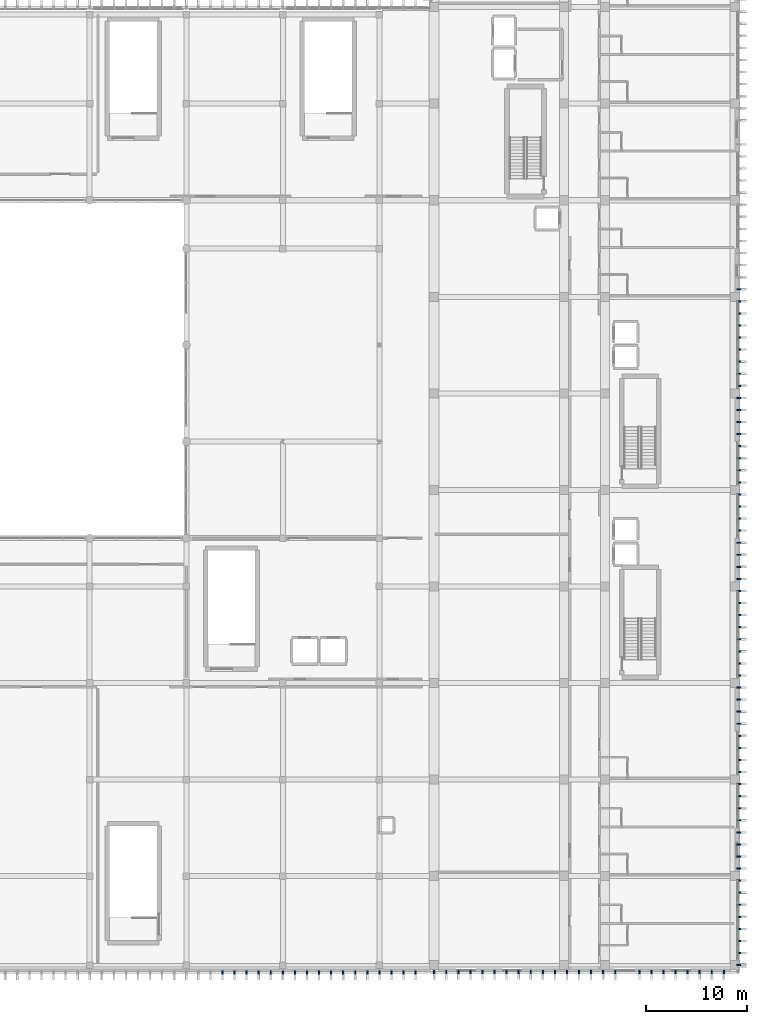
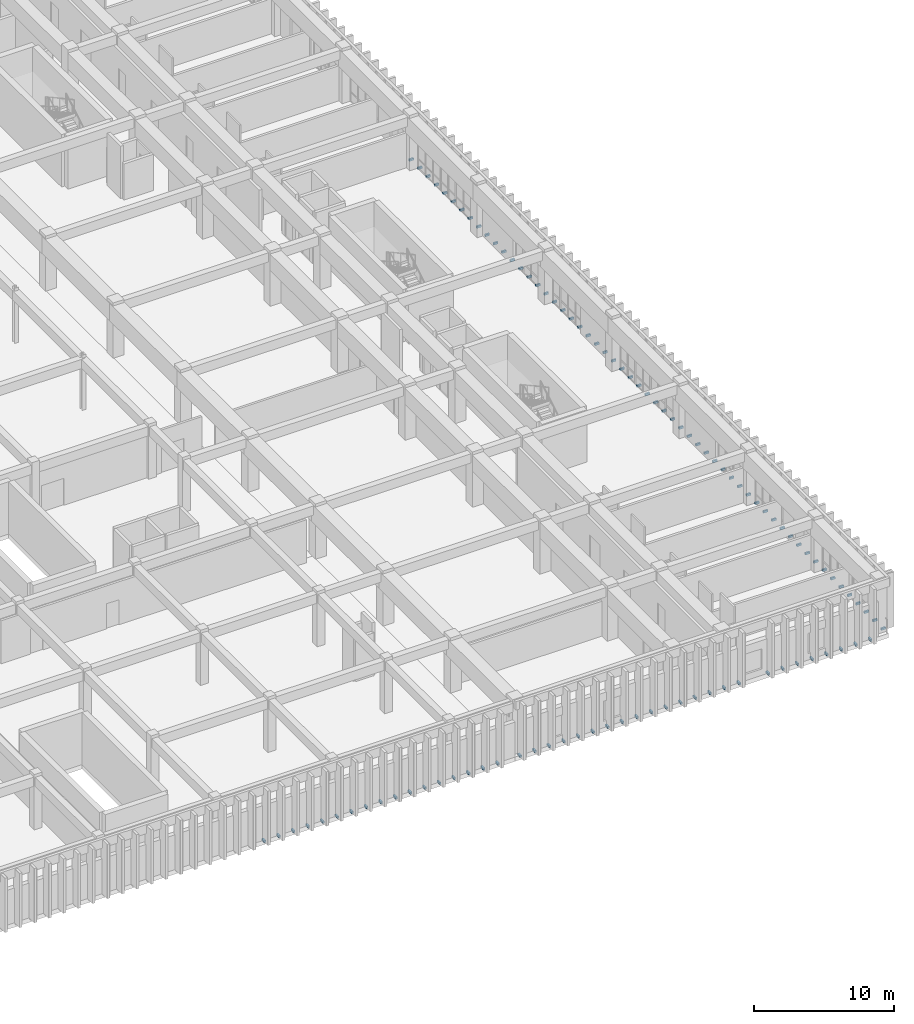
# One storey, part 87 of 101: 98 discrete accessories.
"""IFC4 building model written with IfcOpenShell, lengths in metres."""

from ifc_helpers import new_model, si_unit, direction, frame, origin, origin_2d, place, context, subcontext, project, spatial, rectangle, extrude, material, type_object, element, save


model = new_model("IFC4")

# Units and contexts
model_context = context("Model", 3, precision=1e-05, world=origin(), true_north=direction((0.0, 1.0)))
body_context = subcontext(model_context, "Body", "Model", "MODEL_VIEW")
ifc_project = project(units=[si_unit("LENGTHUNIT", "METRE"), si_unit("AREAUNIT", "SQUARE_METRE"), si_unit("VOLUMEUNIT", "CUBIC_METRE"), si_unit("PLANEANGLEUNIT", "RADIAN"), si_unit("MASSUNIT", "GRAM", prefix="KILO")], contexts=[model_context])

# Site, building, storey
site_placement = place(None, origin())
site = spatial("IfcSite", under=ifc_project, at=site_placement, CompositionType="ELEMENT")
building_placement = place(site_placement, origin())
building = spatial("IfcBuilding", under=site, at=building_placement, Name="Nakhvara Creek Congress Hotel", CompositionType="ELEMENT")
storey_placement = place(building_placement, frame((0.0, 0.0, 16.199951171875)))
storey = spatial("IfcBuildingStorey", under=building, at=storey_placement, Name="L03", CompositionType="ELEMENT", Elevation=16.199951171875)

# Discrete accessories
ifc_material = material(Name="Brushed stainless steel 316L", Category="steel")
discrete_accessory_type = type_object("IfcDiscreteAccessoryType", Name="ACC-BRK-SS316", PredefinedType="BRACKET", material=ifc_material)
for number, where, z_axis, x_axis, name in (
    (1, (128.39990234375, 0.02001953125, -0.10986328125), (0.0, 0.0, 1.0), (1.0, 0.0, 0.0), "Stainless Fin Bracket BK01-0314"),
    (2, (129.60009765625, 0.02001953125, -0.10986328125), (0.0, 0.0, 1.0), (1.0, 0.0, 0.0), "Stainless Fin Bracket BK01-0315"),
    (3, (130.800048828125, 0.02001953125, -0.10986328125), (0.0, 0.0, 1.0), (1.0, 0.0, 0.0), "Stainless Fin Bracket BK01-0316"),
    (4, (132.0, 0.02001953125, -0.10986328125), (0.0, 0.0, 1.0), (1.0, 0.0, 0.0), "Stainless Fin Bracket BK01-0317"),
    (5, (133.199951171875, 0.02001953125, -0.10986328125), (0.0, 0.0, 1.0), (1.0, 0.0, 0.0), "Stainless Fin Bracket BK01-0318"),
    (6, (134.39990234375, 0.02001953125, -0.10986328125), (0.0, 0.0, 1.0), (1.0, 0.0, 0.0), "Stainless Fin Bracket BK01-0319"),
    (7, (135.60009765625, 0.02001953125, -0.10986328125), (0.0, 0.0, 1.0), (1.0, 0.0, 0.0), "Stainless Fin Bracket BK01-0320"),
    (8, (136.800048828125, 0.02001953125, -0.10986328125), (0.0, 0.0, 1.0), (1.0, 0.0, 0.0), "Stainless Fin Bracket BK01-0321"),
    (9, (138.0, 0.02001953125, -0.10986328125), (0.0, 0.0, 1.0), (1.0, 0.0, 0.0), "Stainless Fin Bracket BK01-0322"),
    (10, (139.199951171875, 0.02001953125, -0.10986328125), (0.0, 0.0, 1.0), (1.0, 0.0, 0.0), "Stainless Fin Bracket BK01-0323"),
    (11, (140.39990234375, 0.02001953125, -0.10986328125), (0.0, 0.0, 1.0), (1.0, 0.0, 0.0), "Stainless Fin Bracket BK01-0324"),
    (12, (141.60009765625, 0.02001953125, -0.10986328125), (0.0, 0.0, 1.0), (1.0, 0.0, 0.0), "Stainless Fin Bracket BK01-0325"),
    (13, (142.800048828125, 0.02001953125, -0.10986328125), (0.0, 0.0, 1.0), (1.0, 0.0, 0.0), "Stainless Fin Bracket BK01-0326"),
    (14, (144.0, 0.02001953125, -0.10986328125), (0.0, 0.0, 1.0), (1.0, 0.0, 0.0), "Stainless Fin Bracket BK01-0327"),
    (15, (145.199951171875, 0.02001953125, -0.10986328125), (0.0, 0.0, 1.0), (1.0, 0.0, 0.0), "Stainless Fin Bracket BK01-0328"),
    (16, (146.39990234375, 0.02001953125, -0.10986328125), (0.0, 0.0, 1.0), (1.0, 0.0, 0.0), "Stainless Fin Bracket BK01-0329"),
    (17, (147.60009765625, 0.02001953125, -0.10986328125), (0.0, 0.0, 1.0), (1.0, 0.0, 0.0), "Stainless Fin Bracket BK01-0330"),
    (18, (179.72998046875, 0.75, -0.10986328125), (0.0, 0.0, 1.0), (0.0, 1.0, 0.0), "Stainless Fin Bracket BK01-0892"),
    (19, (179.72998046875, 1.949951171875, -0.10986328125), (0.0, 0.0, 1.0), (0.0, 1.0, 0.0), "Stainless Fin Bracket BK01-0893"),
    (20, (179.72998046875, 3.14990234375, -0.10986328125), (0.0, 0.0, 1.0), (0.0, 1.0, 0.0), "Stainless Fin Bracket BK01-0894"),
    (21, (179.72998046875, 4.35009765625, -0.10986328125), (0.0, 0.0, 1.0), (0.0, 1.0, 0.0), "Stainless Fin Bracket BK01-0895"),
    (22, (179.72998046875, 5.550048828125, -0.10986328125), (0.0, 0.0, 1.0), (0.0, 1.0, 0.0), "Stainless Fin Bracket BK01-0896"),
    (23, (179.72998046875, 6.75, -0.10986328125), (0.0, 0.0, 1.0), (0.0, 1.0, 0.0), "Stainless Fin Bracket BK01-0897"),
    (24, (179.72998046875, 7.949951171875, -0.10986328125), (0.0, 0.0, 1.0), (0.0, 1.0, 0.0), "Stainless Fin Bracket BK01-0898"),
    (25, (179.72998046875, 9.14990234375, -0.10986328125), (0.0, 0.0, 1.0), (0.0, 1.0, 0.0), "Stainless Fin Bracket BK01-0899"),
    (26, (179.72998046875, 10.35009765625, -0.10986328125), (0.0, 0.0, 1.0), (0.0, 1.0, 0.0), "Stainless Fin Bracket BK01-0900"),
    (27, (179.72998046875, 11.550048828125, -0.10986328125), (0.0, 0.0, 1.0), (0.0, 1.0, 0.0), "Stainless Fin Bracket BK01-0901"),
    (28, (179.72998046875, 12.75, -0.10986328125), (0.0, 0.0, 1.0), (0.0, 1.0, 0.0), "Stainless Fin Bracket BK01-0902"),
    (29, (179.72998046875, 13.949951171875, -0.10986328125), (0.0, 0.0, 1.0), (0.0, 1.0, 0.0), "Stainless Fin Bracket BK01-0903"),
    (30, (179.72998046875, 15.14990234375, -0.10986328125), (0.0, 0.0, 1.0), (0.0, 1.0, 0.0), "Stainless Fin Bracket BK01-0904"),
    (31, (179.72998046875, 16.35009765625, -0.10986328125), (0.0, 0.0, 1.0), (0.0, 1.0, 0.0), "Stainless Fin Bracket BK01-0905"),
    (32, (179.72998046875, 17.550048828125, -0.10986328125), (0.0, 0.0, 1.0), (0.0, 1.0, 0.0), "Stainless Fin Bracket BK01-0906"),
    (33, (179.72998046875, 18.75, -0.10986328125), (0.0, 0.0, 1.0), (0.0, 1.0, 0.0), "Stainless Fin Bracket BK01-0907"),
    (34, (179.72998046875, 19.949951171875, -0.10986328125), (0.0, 0.0, 1.0), (0.0, 1.0, 0.0), "Stainless Fin Bracket BK01-0908"),
    (35, (179.72998046875, 21.14990234375, -0.10986328125), (0.0, 0.0, 1.0), (0.0, 1.0, 0.0), "Stainless Fin Bracket BK01-0909"),
    (36, (179.72998046875, 22.35009765625, -0.10986328125), (0.0, 0.0, 1.0), (0.0, 1.0, 0.0), "Stainless Fin Bracket BK01-0910"),
    (37, (179.72998046875, 23.550048828125, -0.10986328125), (0.0, 0.0, 1.0), (0.0, 1.0, 0.0), "Stainless Fin Bracket BK01-0911"),
    (38, (179.72998046875, 24.75, -0.10986328125), (0.0, 0.0, 1.0), (0.0, 1.0, 0.0), "Stainless Fin Bracket BK01-0912"),
    (39, (179.72998046875, 25.949951171875, -0.10986328125), (0.0, 0.0, 1.0), (0.0, 1.0, 0.0), "Stainless Fin Bracket BK01-0913"),
    (40, (179.72998046875, 27.14990234375, -0.10986328125), (0.0, 0.0, 1.0), (0.0, 1.0, 0.0), "Stainless Fin Bracket BK01-0914"),
    (41, (179.72998046875, 28.35009765625, -0.10986328125), (0.0, 0.0, 1.0), (0.0, 1.0, 0.0), "Stainless Fin Bracket BK01-0915"),
    (42, (179.72998046875, 29.550048828125, -0.10986328125), (0.0, 0.0, 1.0), (0.0, 1.0, 0.0), "Stainless Fin Bracket BK01-0916"),
    (43, (179.72998046875, 30.75, -0.10986328125), (0.0, 0.0, 1.0), (0.0, 1.0, 0.0), "Stainless Fin Bracket BK01-0917"),
    (44, (179.72998046875, 31.949951171875, -0.10986328125), (0.0, 0.0, 1.0), (0.0, 1.0, 0.0), "Stainless Fin Bracket BK01-0918"),
    (45, (179.72998046875, 33.14990234375, -0.10986328125), (0.0, 0.0, 1.0), (0.0, 1.0, 0.0), "Stainless Fin Bracket BK01-0919"),
    (46, (179.72998046875, 34.35009765625, -0.10986328125), (0.0, 0.0, 1.0), (0.0, 1.0, 0.0), "Stainless Fin Bracket BK01-0920"),
    (47, (179.72998046875, 35.550048828125, -0.10986328125), (0.0, 0.0, 1.0), (0.0, 1.0, 0.0), "Stainless Fin Bracket BK01-0921"),
    (48, (179.72998046875, 36.75, -0.10986328125), (0.0, 0.0, 1.0), (0.0, 1.0, 0.0), "Stainless Fin Bracket BK01-0922"),
    (49, (179.72998046875, 37.949951171875, -0.10986328125), (0.0, 0.0, 1.0), (0.0, 1.0, 0.0), "Stainless Fin Bracket BK01-0923"),
    (50, (179.72998046875, 39.14990234375, -0.10986328125), (0.0, 0.0, 1.0), (0.0, 1.0, 0.0), "Stainless Fin Bracket BK01-0924"),
    (51, (179.72998046875, 40.35009765625, -0.10986328125), (0.0, 0.0, 1.0), (0.0, 1.0, 0.0), "Stainless Fin Bracket BK01-0925"),
    (52, (179.72998046875, 41.550048828125, -0.10986328125), (0.0, 0.0, 1.0), (0.0, 1.0, 0.0), "Stainless Fin Bracket BK01-0926"),
    (53, (179.72998046875, 42.75, -0.10986328125), (0.0, 0.0, 1.0), (0.0, 1.0, 0.0), "Stainless Fin Bracket BK01-0927"),
    (54, (179.72998046875, 43.949951171875, -0.10986328125), (0.0, 0.0, 1.0), (0.0, 1.0, 0.0), "Stainless Fin Bracket BK01-0928"),
    (55, (179.72998046875, 45.14990234375, -0.10986328125), (0.0, 0.0, 1.0), (0.0, 1.0, 0.0), "Stainless Fin Bracket BK01-0929"),
    (56, (179.72998046875, 46.35009765625, -0.10986328125), (0.0, 0.0, 1.0), (0.0, 1.0, 0.0), "Stainless Fin Bracket BK01-0930"),
    (57, (179.72998046875, 47.550048828125, -0.10986328125), (0.0, 0.0, 1.0), (0.0, 1.0, 0.0), "Stainless Fin Bracket BK01-0931"),
    (58, (179.72998046875, 48.75, -0.10986328125), (0.0, 0.0, 1.0), (0.0, 1.0, 0.0), "Stainless Fin Bracket BK01-0932"),
    (59, (179.72998046875, 49.949951171875, -0.10986328125), (0.0, 0.0, 1.0), (0.0, 1.0, 0.0), "Stainless Fin Bracket BK01-0933"),
    (60, (179.72998046875, 51.14990234375, -0.10986328125), (0.0, 0.0, 1.0), (0.0, 1.0, 0.0), "Stainless Fin Bracket BK01-0934"),
    (61, (179.72998046875, 52.35009765625, -0.10986328125), (0.0, 0.0, 1.0), (0.0, 1.0, 0.0), "Stainless Fin Bracket BK01-0935"),
    (62, (179.72998046875, 53.550048828125, -0.10986328125), (0.0, 0.0, 1.0), (0.0, 1.0, 0.0), "Stainless Fin Bracket BK01-0936"),
    (63, (179.72998046875, 54.75, -0.10986328125), (0.0, 0.0, 1.0), (0.0, 1.0, 0.0), "Stainless Fin Bracket BK01-0937"),
    (64, (179.72998046875, 55.949951171875, -0.10986328125), (0.0, 0.0, 1.0), (0.0, 1.0, 0.0), "Stainless Fin Bracket BK01-0938"),
    (65, (179.72998046875, 57.14990234375, -0.10986328125), (0.0, 0.0, 1.0), (0.0, 1.0, 0.0), "Stainless Fin Bracket BK01-0939"),
    (66, (179.72998046875, 58.35009765625, -0.10986328125), (0.0, 0.0, 1.0), (0.0, 1.0, 0.0), "Stainless Fin Bracket BK01-0940"),
    (67, (179.72998046875, 59.550048828125, -0.10986328125), (0.0, 0.0, 1.0), (0.0, 1.0, 0.0), "Stainless Fin Bracket BK01-0941"),
    (68, (179.72998046875, 60.75, -0.10986328125), (0.0, 0.0, 1.0), (0.0, 1.0, 0.0), "Stainless Fin Bracket BK01-0942"),
    (69, (179.72998046875, 61.949951171875, -0.10986328125), (0.0, 0.0, 1.0), (0.0, 1.0, 0.0), "Stainless Fin Bracket BK01-0943"),
    (70, (179.72998046875, 63.14990234375, -0.10986328125), (0.0, 0.0, 1.0), (0.0, 1.0, 0.0), "Stainless Fin Bracket BK01-0944"),
    (71, (179.72998046875, 64.35009765625, -0.10986328125), (0.0, 0.0, 1.0), (0.0, 1.0, 0.0), "Stainless Fin Bracket BK01-0945"),
    (72, (179.72998046875, 65.550048828125, -0.10986328125), (0.0, 0.0, 1.0), (0.0, 1.0, 0.0), "Stainless Fin Bracket BK01-0946"),
    (73, (179.72998046875, 66.75, -0.10986328125), (0.0, 0.0, 1.0), (0.0, 1.0, 0.0), "Stainless Fin Bracket BK01-0947"),
    (74, (179.72998046875, 67.949951171875, -0.10986328125), (0.0, 0.0, 1.0), (0.0, 1.0, 0.0), "Stainless Fin Bracket BK01-0948"),
    (75, (149.449951171875, 0.06005859375, -0.10986328125), (0.0, 0.0, 1.0), (1.0, 0.0, 0.0), "Stainless Fin Bracket BK01-1021"),
    (76, (150.64990234375, 0.06005859375, -0.10986328125), (0.0, 0.0, 1.0), (1.0, 0.0, 0.0), "Stainless Fin Bracket BK01-1023"),
    (77, (151.85009765625, 0.06005859375, -0.10986328125), (0.0, 0.0, 1.0), (1.0, 0.0, 0.0), "Stainless Fin Bracket BK01-1025"),
    (78, (153.050048828125, 0.06005859375, -0.10986328125), (0.0, 0.0, 1.0), (1.0, 0.0, 0.0), "Stainless Fin Bracket BK01-1027"),
    (79, (154.25, 0.06005859375, -0.10986328125), (0.0, 0.0, 1.0), (1.0, 0.0, 0.0), "Stainless Fin Bracket BK01-1028"),
    (80, (155.449951171875, 0.06005859375, -0.10986328125), (0.0, 0.0, 1.0), (1.0, 0.0, 0.0), "Stainless Fin Bracket BK01-1030"),
    (81, (156.64990234375, 0.06005859375, -0.10986328125), (0.0, 0.0, 1.0), (1.0, 0.0, 0.0), "Stainless Fin Bracket BK01-1032"),
    (82, (157.85009765625, 0.06005859375, -0.10986328125), (0.0, 0.0, 1.0), (1.0, 0.0, 0.0), "Stainless Fin Bracket BK01-1034"),
    (83, (159.050048828125, 0.06005859375, -0.10986328125), (0.0, 0.0, 1.0), (1.0, 0.0, 0.0), "Stainless Fin Bracket BK01-1036"),
    (84, (160.25, 0.06005859375, -0.10986328125), (0.0, 0.0, 1.0), (1.0, 0.0, 0.0), "Stainless Fin Bracket BK01-1037"),
    (85, (161.449951171875, 0.06005859375, -0.10986328125), (0.0, 0.0, 1.0), (1.0, 0.0, 0.0), "Stainless Fin Bracket BK01-1039"),
    (86, (162.64990234375, 0.06005859375, -0.10986328125), (0.0, 0.0, 1.0), (1.0, 0.0, 0.0), "Stainless Fin Bracket BK01-1041"),
    (87, (163.85009765625, 0.06005859375, -0.10986328125), (0.0, 0.0, 1.0), (1.0, 0.0, 0.0), "Stainless Fin Bracket BK01-1043"),
    (88, (165.050048828125, 0.06005859375, -0.10986328125), (0.0, 0.0, 1.0), (1.0, 0.0, 0.0), "Stainless Fin Bracket BK01-1045"),
    (89, (166.25, 0.06005859375, -0.10986328125), (0.0, 0.0, 1.0), (1.0, 0.0, 0.0), "Stainless Fin Bracket BK01-1047"),
    (90, (167.449951171875, 0.06005859375, -0.10986328125), (0.0, 0.0, 1.0), (1.0, 0.0, 0.0), "Stainless Fin Bracket BK01-1049"),
    (91, (169.85009765625, 0.06005859375, -0.10986328125), (0.0, 0.0, 1.0), (1.0, 0.0, 0.0), "Stainless Fin Bracket BK01-1052"),
    (92, (171.050048828125, 0.06005859375, -0.10986328125), (0.0, 0.0, 1.0), (1.0, 0.0, 0.0), "Stainless Fin Bracket BK01-1054"),
    (93, (172.25, 0.06005859375, -0.10986328125), (0.0, 0.0, 1.0), (1.0, 0.0, 0.0), "Stainless Fin Bracket BK01-1056"),
    (94, (173.449951171875, 0.06005859375, -0.10986328125), (0.0, 0.0, 1.0), (1.0, 0.0, 0.0), "Stainless Fin Bracket BK01-1058"),
    (95, (174.64990234375, 0.06005859375, -0.10986328125), (0.0, 0.0, 1.0), (1.0, 0.0, 0.0), "Stainless Fin Bracket BK01-1060"),
    (96, (175.85009765625, 0.06005859375, -0.10986328125), (0.0, 0.0, 1.0), (1.0, 0.0, 0.0), "Stainless Fin Bracket BK01-1061"),
    (97, (177.050048828125, 0.06005859375, -0.10986328125), (0.0, 0.0, 1.0), (1.0, 0.0, 0.0), "Stainless Fin Bracket BK01-1063"),
    (98, (178.25, 0.06005859375, -0.10986328125), (0.0, 0.0, 1.0), (1.0, 0.0, 0.0), "Stainless Fin Bracket BK01-1065"),
):
    element("IfcDiscreteAccessory", number, at=place(storey_placement, frame(where, z_axis=z_axis, x_axis=x_axis)), inside=storey, type_object=discrete_accessory_type, Name=name, PredefinedType="BRACKET", context=body_context, shape_type="SweptSolid", body=[
        extrude(rectangle(XDim=0.139892578125, YDim=0.360107421875, at=origin_2d()), origin(), (0.0, 0.0, 1.0), 0.179931640625),
    ])

save(model, "model.ifc")
